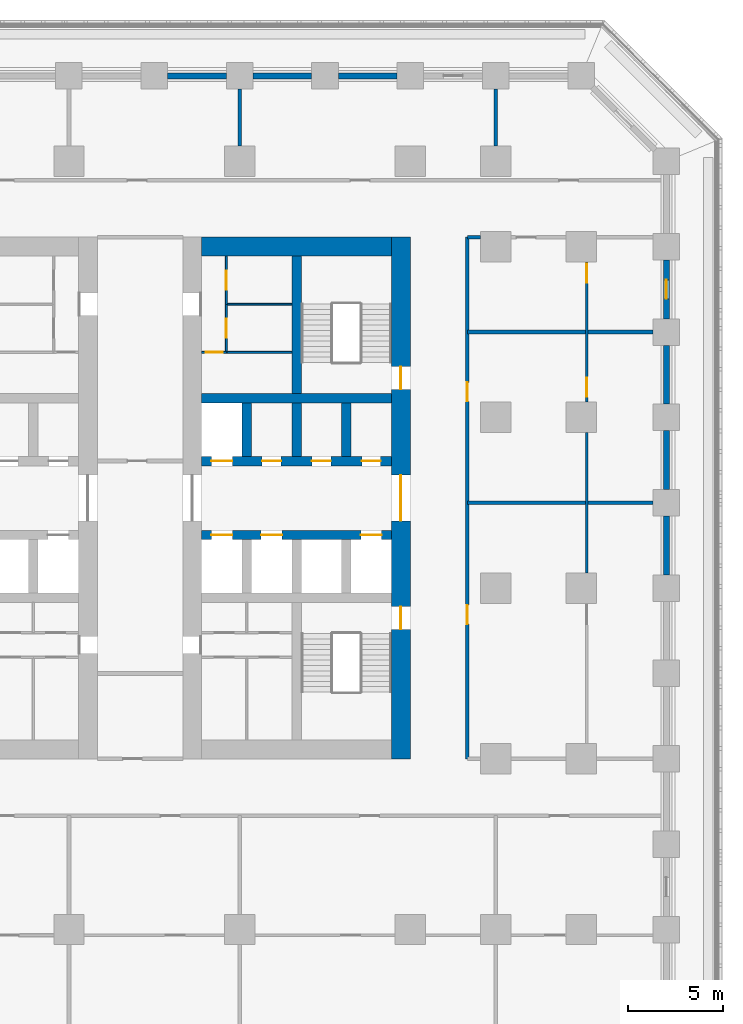
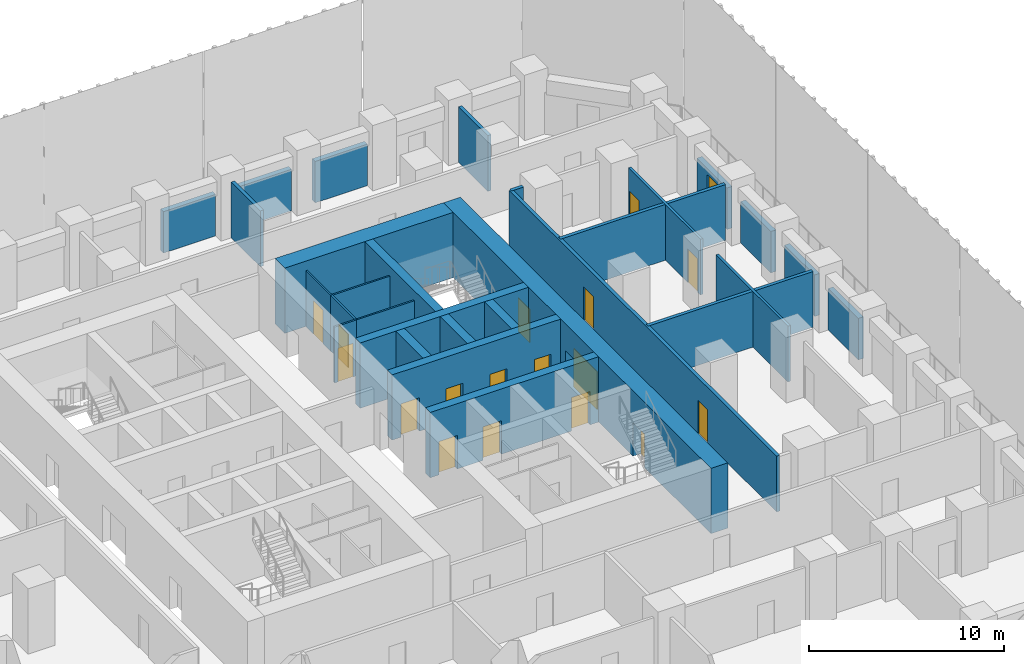
# One storey, part 6 of 13: 29 walls, 18 doors, 18 openings.
"""IFC4 building model written with IfcOpenShell, lengths in metres."""

from ifc_helpers import new_model, si_unit, direction, frame, frame_2d, origin, place, context, subcontext, project, spatial, rectangle, extrude, material, layer, layer_set, type_object, element, fill, save


model = new_model("IFC4")

# Units and contexts
model_context = context("Model", 3, precision=1e-05, world=origin(), true_north=direction((0.0, 1.0)))
body_context = subcontext(model_context, "Body", "Model", "MODEL_VIEW")
ifc_project = project(units=[si_unit("LENGTHUNIT", "METRE"), si_unit("AREAUNIT", "SQUARE_METRE"), si_unit("VOLUMEUNIT", "CUBIC_METRE"), si_unit("PLANEANGLEUNIT", "RADIAN"), si_unit("MASSUNIT", "GRAM", prefix="KILO")], contexts=[model_context])

# Site, building, storey
site_placement = place(None, origin())
site = spatial("IfcSite", under=ifc_project, at=site_placement, CompositionType="ELEMENT")
building_placement = place(site_placement, origin())
building = spatial("IfcBuilding", under=site, at=building_placement, Name="Corbel Stack Research Tower", CompositionType="ELEMENT")
storey_placement = place(building_placement, frame((0.0, 0.0, 66.5)))
storey = spatial("IfcBuildingStorey", under=building, at=storey_placement, Name="L15", CompositionType="ELEMENT", Elevation=66.5)

# Wall, openings, doors
ifc_material_1 = material(Name="Concrete C70/85", Category="concrete")
ifc_layer_1 = layer(ifc_material_1, 1.0)
ifc_layer_set_1 = layer_set([ifc_layer_1], Name="Concrete C70/85")
wall_type_1 = type_object("IfcWallType", Name="CW-1000-70", PredefinedType="SHEAR", material=ifc_layer_set_1)
wall_1_placement = place(storey_placement, frame((17.5, -9.0, 0.0), z_axis=(0.0, 0.0, 1.0), x_axis=(0.0, 1.0, 0.0)))
wall_1 = element("IfcWall", 1, at=wall_1_placement, inside=storey, type_object=wall_type_1, Name="East core wall, east face L15", PredefinedType="SHEAR", context=body_context, shape_type="SweptSolid", body=[
    extrude(rectangle(XDim=27.5, YDim=1.0, at=frame_2d((13.75, 0.0))), origin(), (0.0, 0.0, 1.0), 4.10009765625),
])
opening_1_placement = place(wall_1_placement, frame((12.550048828125, 0.0, 0.0)))
opening_1 = element("IfcOpeningElement", 2, at=opening_1_placement, cuts=wall_1, Name="Opening CD-E-E", PredefinedType="OPENING", context=body_context, shape_type="SweptSolid", body=[
    extrude(rectangle(XDim=2.39990234375, YDim=2.39990234375, at=frame_2d((1.199951171875, 1.199951171875))), frame((0.0, 0.510009765625, 0.0), z_axis=(0.0, -1.0, 0.0), x_axis=(1.0, 0.0, 0.0)), (0.0, 0.0, 1.0), 1.02001953125),
])
opening_2_placement = place(wall_1_placement, frame((6.824951171875, 0.0, 0.0)))
opening_2 = element("IfcOpeningElement", 3, at=opening_2_placement, cuts=wall_1, Name="Opening SD-ST-E1", PredefinedType="OPENING", context=body_context, shape_type="SweptSolid", body=[
    extrude(rectangle(XDim=1.199951171875, YDim=2.10009765625, at=frame_2d((0.60009765625, 1.050048828125))), frame((0.0, 0.510009765625, 0.0), z_axis=(0.0, -1.0, 0.0), x_axis=(1.0, 0.0, 0.0)), (0.0, 0.0, 1.0), 1.02001953125),
])
opening_3_placement = place(wall_1_placement, frame((19.47509765625, 0.0, 0.0)))
opening_3 = element("IfcOpeningElement", 4, at=opening_3_placement, cuts=wall_1, Name="Opening SD-ST-E2", PredefinedType="OPENING", context=body_context, shape_type="SweptSolid", body=[
    extrude(rectangle(XDim=1.199951171875, YDim=2.10009765625, at=frame_2d((0.60009765625, 1.050048828125))), frame((0.0, 0.510009765625, 0.0), z_axis=(0.0, -1.0, 0.0), x_axis=(1.0, 0.0, 0.0)), (0.0, 0.0, 1.0), 1.02001953125),
])
ifc_material_2 = material(Name="Painted steel fire door", Category="steel")
door_type_1 = type_object("IfcDoorType", Name="Lobby door pair 2400 x 2400 FD30S", OperationType="DOUBLE_DOOR_DOUBLE_SWING", PredefinedType="DOOR", material=ifc_material_2)
door_1_placement = place(opening_1_placement, origin())
door_1 = element("IfcDoor", 5, at=door_1_placement, inside=storey, type_object=door_type_1, Name="Lift lobby door E core E", OperationType="DOUBLE_DOOR_DOUBLE_SWING", OverallHeight=2.39990234375, OverallWidth=2.39990234375, PredefinedType="DOOR", context=body_context, shape_type="SweptSolid", body=[
    extrude(rectangle(XDim=2.39990234375, YDim=2.39990234375, at=frame_2d((1.199951171875, 1.199951171875))), frame((0.0, 0.02490234375, 0.0), z_axis=(0.0, -1.0, 0.0), x_axis=(1.0, 0.0, 0.0)), (0.0, 0.0, 1.0), 0.050048828125),
])
fill(opening_1, door_1)
ifc_material_3 = material(Name="Painted steel fire door", Category="steel")
door_type_2 = type_object("IfcDoorType", Name="Stair door 1200 x 2100 FD90 right hand", OperationType="SINGLE_SWING_RIGHT", PredefinedType="DOOR", material=ifc_material_3)
door_2_placement = place(opening_2_placement, frame((1.199951171875, 0.0, 0.0), z_axis=(0.0, 0.0, 1.0), x_axis=(-1.0, 0.0, 0.0)))
door_2 = element("IfcDoor", 6, at=door_2_placement, inside=storey, type_object=door_type_2, Name="Stair door ST-E1", OperationType="SINGLE_SWING_LEFT", OverallHeight=2.10009765625, OverallWidth=1.199951171875, PredefinedType="DOOR", context=body_context, shape_type="SweptSolid", body=[
    extrude(rectangle(XDim=1.199951171875, YDim=2.10009765625, at=frame_2d((0.60009765625, 1.050048828125))), frame((0.0, 0.02490234375, 0.0), z_axis=(0.0, -1.0, 0.0), x_axis=(1.0, 0.0, 0.0)), (0.0, 0.0, 1.0), 0.050048828125),
])
fill(opening_2, door_2)
door_3_placement = place(opening_3_placement, frame((1.199951171875, 0.0, 0.0), z_axis=(0.0, 0.0, 1.0), x_axis=(-1.0, 0.0, 0.0)))
door_3 = element("IfcDoor", 7, at=door_3_placement, inside=storey, type_object=door_type_2, Name="Stair door ST-E2", OperationType="SINGLE_SWING_LEFT", OverallHeight=2.10009765625, OverallWidth=1.199951171875, PredefinedType="DOOR", context=body_context, shape_type="SweptSolid", body=[
    extrude(rectangle(XDim=1.199951171875, YDim=2.10009765625, at=frame_2d((0.60009765625, 1.050048828125))), frame((0.0, 0.02490234375, 0.0), z_axis=(0.0, -1.0, 0.0), x_axis=(1.0, 0.0, 0.0)), (0.0, 0.0, 1.0), 0.050048828125),
])
fill(opening_3, door_3)

# Wall
wall_2_placement = place(storey_placement, frame((7.0, 18.0, 0.0), z_axis=(0.0, 0.0, 1.0), x_axis=(1.0, 0.0, 0.0)))
element("IfcWall", 8, at=wall_2_placement, inside=storey, type_object=wall_type_1, Name="East core wall, north end L15", PredefinedType="SHEAR", context=body_context, shape_type="SweptSolid", body=[
    extrude(rectangle(XDim=10.0, YDim=1.0, at=frame_2d((5.0, 0.0))), origin(), (0.0, 0.0, 1.0), 4.10009765625),
])

# Wall, openings, doors
ifc_material_4 = material(Name="Concrete C70/85", Category="concrete")
ifc_layer_2 = layer(ifc_material_4, 0.5)
ifc_layer_set_2 = layer_set([ifc_layer_2], Name="Concrete C70/85")
wall_type_2 = type_object("IfcWallType", Name="CW-500-70", PredefinedType="SHEAR", material=ifc_layer_set_2)
wall_3_placement = place(storey_placement, frame((7.0, 2.800048828125, 0.0), z_axis=(0.0, 0.0, 1.0), x_axis=(1.0, 0.0, 0.0)))
wall_3 = element("IfcWall", 9, at=wall_3_placement, inside=storey, type_object=wall_type_2, Name="East core wall, lobby south L15", PredefinedType="SHEAR", context=body_context, shape_type="SweptSolid", body=[
    extrude(rectangle(XDim=10.0, YDim=0.5, at=frame_2d((5.0, 0.0))), origin(), (0.0, 0.0, 1.0), 4.10009765625),
])
opening_4_placement = place(wall_3_placement, frame((0.512451171875, 0.0, 0.0)))
opening_4 = element("IfcOpeningElement", 10, at=opening_4_placement, cuts=wall_3, Name="Opening LD-FS2", PredefinedType="OPENING", context=body_context, shape_type="SweptSolid", body=[
    extrude(rectangle(XDim=1.10009765625, YDim=2.10009765625, at=frame_2d((0.550048828125, 1.050048828125))), frame((0.0, 0.260009765625, 0.0), z_axis=(0.0, -1.0, 0.0), x_axis=(1.0, 0.0, 0.0)), (0.0, 0.0, 1.0), 0.52001953125),
])
opening_5_placement = place(wall_3_placement, frame((3.137451171875, 0.0, 0.0)))
opening_5 = element("IfcOpeningElement", 11, at=opening_5_placement, cuts=wall_3, Name="Opening LD-GL2", PredefinedType="OPENING", context=body_context, shape_type="SweptSolid", body=[
    extrude(rectangle(XDim=1.10009765625, YDim=2.10009765625, at=frame_2d((0.550048828125, 1.050048828125))), frame((0.0, 0.260009765625, 0.0), z_axis=(0.0, -1.0, 0.0), x_axis=(1.0, 0.0, 0.0)), (0.0, 0.0, 1.0), 0.52001953125),
])
opening_6_placement = place(wall_3_placement, frame((8.387451171875, 0.0, 0.0)))
opening_6 = element("IfcOpeningElement", 12, at=opening_6_placement, cuts=wall_3, Name="Opening LD-LR3", PredefinedType="OPENING", context=body_context, shape_type="SweptSolid", body=[
    extrude(rectangle(XDim=1.10009765625, YDim=2.10009765625, at=frame_2d((0.550048828125, 1.050048828125))), frame((0.0, 0.260009765625, 0.0), z_axis=(0.0, -1.0, 0.0), x_axis=(1.0, 0.0, 0.0)), (0.0, 0.0, 1.0), 0.52001953125),
])
ifc_material_5 = material(Name="Stainless steel landing door", Category="steel")
door_type_3 = type_object("IfcDoorType", Name="Lift landing door 1100 x 2100", OperationType="DOUBLE_DOOR_SLIDING", PredefinedType="DOOR", material=ifc_material_5)
door_4_placement = place(opening_4_placement, origin())
door_4 = element("IfcDoor", 13, at=door_4_placement, inside=storey, type_object=door_type_3, Name="Landing door FS2", OperationType="DOUBLE_DOOR_SLIDING", OverallHeight=2.10009765625, OverallWidth=1.10009765625, PredefinedType="DOOR", context=body_context, shape_type="SweptSolid", body=[
    extrude(rectangle(XDim=1.10009765625, YDim=2.10009765625, at=frame_2d((0.550048828125, 1.050048828125))), frame((0.0, 0.02490234375, 0.0), z_axis=(0.0, -1.0, 0.0), x_axis=(1.0, 0.0, 0.0)), (0.0, 0.0, 1.0), 0.050048828125),
])
fill(opening_4, door_4)
door_5_placement = place(opening_5_placement, origin())
door_5 = element("IfcDoor", 14, at=door_5_placement, inside=storey, type_object=door_type_3, Name="Landing door GL2", OperationType="DOUBLE_DOOR_SLIDING", OverallHeight=2.10009765625, OverallWidth=1.10009765625, PredefinedType="DOOR", context=body_context, shape_type="SweptSolid", body=[
    extrude(rectangle(XDim=1.10009765625, YDim=2.10009765625, at=frame_2d((0.550048828125, 1.050048828125))), frame((0.0, 0.02490234375, 0.0), z_axis=(0.0, -1.0, 0.0), x_axis=(1.0, 0.0, 0.0)), (0.0, 0.0, 1.0), 0.050048828125),
])
fill(opening_5, door_5)
door_6_placement = place(opening_6_placement, origin())
door_6 = element("IfcDoor", 15, at=door_6_placement, inside=storey, type_object=door_type_3, Name="Landing door LR3", OperationType="DOUBLE_DOOR_SLIDING", OverallHeight=2.10009765625, OverallWidth=1.10009765625, PredefinedType="DOOR", context=body_context, shape_type="SweptSolid", body=[
    extrude(rectangle(XDim=1.10009765625, YDim=2.10009765625, at=frame_2d((0.550048828125, 1.050048828125))), frame((0.0, 0.02490234375, 0.0), z_axis=(0.0, -1.0, 0.0), x_axis=(1.0, 0.0, 0.0)), (0.0, 0.0, 1.0), 0.050048828125),
])
fill(opening_6, door_6)

wall_4_placement = place(storey_placement, frame((7.0, 6.699951171875, 0.0), z_axis=(0.0, 0.0, 1.0), x_axis=(1.0, 0.0, 0.0)))
wall_4 = element("IfcWall", 16, at=wall_4_placement, inside=storey, type_object=wall_type_2, Name="East core wall, lobby north L15", PredefinedType="SHEAR", context=body_context, shape_type="SweptSolid", body=[
    extrude(rectangle(XDim=10.0, YDim=0.5, at=frame_2d((5.0, 0.0))), origin(), (0.0, 0.0, 1.0), 4.10009765625),
])
opening_7_placement = place(wall_4_placement, frame((0.512451171875, 0.0, 0.0)))
opening_7 = element("IfcOpeningElement", 17, at=opening_7_placement, cuts=wall_4, Name="Opening LD-LR4", PredefinedType="OPENING", context=body_context, shape_type="SweptSolid", body=[
    extrude(rectangle(XDim=1.10009765625, YDim=2.10009765625, at=frame_2d((0.550048828125, 1.050048828125))), frame((0.0, 0.260009765625, 0.0), z_axis=(0.0, -1.0, 0.0), x_axis=(1.0, 0.0, 0.0)), (0.0, 0.0, 1.0), 0.52001953125),
])
opening_8_placement = place(wall_4_placement, frame((3.1875, 0.0, 0.0)))
opening_8 = element("IfcOpeningElement", 18, at=opening_8_placement, cuts=wall_4, Name="Opening CR-E54-N2", PredefinedType="OPENING", context=body_context, shape_type="SweptSolid", body=[
    extrude(rectangle(XDim=1.0, YDim=2.10009765625, at=frame_2d((0.5, 1.050048828125))), frame((0.0, 0.260009765625, 0.0), z_axis=(0.0, -1.0, 0.0), x_axis=(1.0, 0.0, 0.0)), (0.0, 0.0, 1.0), 0.52001953125),
])
opening_9_placement = place(wall_4_placement, frame((5.8125, 0.0, 0.0)))
opening_9 = element("IfcOpeningElement", 19, at=opening_9_placement, cuts=wall_4, Name="Opening CR-E54-N3", PredefinedType="OPENING", context=body_context, shape_type="SweptSolid", body=[
    extrude(rectangle(XDim=1.0, YDim=2.10009765625, at=frame_2d((0.5, 1.050048828125))), frame((0.0, 0.260009765625, 0.0), z_axis=(0.0, -1.0, 0.0), x_axis=(1.0, 0.0, 0.0)), (0.0, 0.0, 1.0), 0.52001953125),
])
opening_10_placement = place(wall_4_placement, frame((8.4375, 0.0, 0.0)))
opening_10 = element("IfcOpeningElement", 20, at=opening_10_placement, cuts=wall_4, Name="Opening CR-E54-N4", PredefinedType="OPENING", context=body_context, shape_type="SweptSolid", body=[
    extrude(rectangle(XDim=1.0, YDim=2.10009765625, at=frame_2d((0.5, 1.050048828125))), frame((0.0, 0.260009765625, 0.0), z_axis=(0.0, -1.0, 0.0), x_axis=(1.0, 0.0, 0.0)), (0.0, 0.0, 1.0), 0.52001953125),
])
door_7_placement = place(opening_7_placement, origin())
door_7 = element("IfcDoor", 21, at=door_7_placement, inside=storey, type_object=door_type_3, Name="Landing door LR4", OperationType="DOUBLE_DOOR_SLIDING", OverallHeight=2.10009765625, OverallWidth=1.10009765625, PredefinedType="DOOR", context=body_context, shape_type="SweptSolid", body=[
    extrude(rectangle(XDim=1.10009765625, YDim=2.10009765625, at=frame_2d((0.550048828125, 1.050048828125))), frame((0.0, 0.02490234375, 0.0), z_axis=(0.0, -1.0, 0.0), x_axis=(1.0, 0.0, 0.0)), (0.0, 0.0, 1.0), 0.050048828125),
])
fill(opening_7, door_7)
ifc_material_6 = material(Name="Painted steel door", Category="steel")
door_type_4 = type_object("IfcDoorType", Name="Service door 1000 x 2100 FD60 left hand", OperationType="SINGLE_SWING_LEFT", PredefinedType="DOOR", material=ifc_material_6)
door_8_placement = place(opening_9_placement, origin())
door_8 = element("IfcDoor", 22, at=door_8_placement, inside=storey, type_object=door_type_4, Name="Staff WC door E core", OperationType="SINGLE_SWING_LEFT", OverallHeight=2.10009765625, OverallWidth=1.0, PredefinedType="DOOR", context=body_context, shape_type="SweptSolid", body=[
    extrude(rectangle(XDim=1.0, YDim=2.10009765625, at=frame_2d((0.5, 1.050048828125))), frame((0.0, 0.02490234375, 0.0), z_axis=(0.0, -1.0, 0.0), x_axis=(1.0, 0.0, 0.0)), (0.0, 0.0, 1.0), 0.050048828125),
])
fill(opening_9, door_8)
ifc_material_7 = material(Name="Painted steel door", Category="steel")
door_type_5 = type_object("IfcDoorType", Name="Service door 1000 x 2100 FD60 right hand", OperationType="SINGLE_SWING_RIGHT", PredefinedType="DOOR", material=ifc_material_7)
door_9_placement = place(opening_8_placement, origin())
door_9 = element("IfcDoor", 23, at=door_9_placement, inside=storey, type_object=door_type_5, Name="Pantry door E core", OperationType="SINGLE_SWING_RIGHT", OverallHeight=2.10009765625, OverallWidth=1.0, PredefinedType="DOOR", context=body_context, shape_type="SweptSolid", body=[
    extrude(rectangle(XDim=1.0, YDim=2.10009765625, at=frame_2d((0.5, 1.050048828125))), frame((0.0, 0.02490234375, 0.0), z_axis=(0.0, -1.0, 0.0), x_axis=(1.0, 0.0, 0.0)), (0.0, 0.0, 1.0), 0.050048828125),
])
fill(opening_8, door_9)
door_10_placement = place(opening_10_placement, origin())
door_10 = element("IfcDoor", 24, at=door_10_placement, inside=storey, type_object=door_type_5, Name="Laboratory consumables store door E core", OperationType="SINGLE_SWING_RIGHT", OverallHeight=2.10009765625, OverallWidth=1.0, PredefinedType="DOOR", context=body_context, shape_type="SweptSolid", body=[
    extrude(rectangle(XDim=1.0, YDim=2.10009765625, at=frame_2d((0.5, 1.050048828125))), frame((0.0, 0.02490234375, 0.0), z_axis=(0.0, -1.0, 0.0), x_axis=(1.0, 0.0, 0.0)), (0.0, 0.0, 1.0), 0.050048828125),
])
fill(opening_10, door_10)

# Walls
wall_5_placement = place(storey_placement, frame((7.0, 10.0, 0.0), z_axis=(0.0, 0.0, 1.0), x_axis=(1.0, 0.0, 0.0)))
element("IfcWall", 25, at=wall_5_placement, inside=storey, type_object=wall_type_2, Name="East core wall, north row back L15", PredefinedType="SHEAR", context=body_context, shape_type="SweptSolid", body=[
    extrude(rectangle(XDim=10.0, YDim=0.5, at=frame_2d((5.0, 0.0))), origin(), (0.0, 0.0, 1.0), 4.10009765625),
])
for number, where, z_axis, x_axis, name in (
    (26, (9.375, 6.949951171875, 0.0), (0.0, 0.0, 1.0), (0.0, 1.0, 0.0), "East core wall, north shaft 1 L15"),
    (27, (12.0, 6.949951171875, 0.0), (0.0, 0.0, 1.0), (0.0, 1.0, 0.0), "East core wall, north shaft 2 L15"),
    (28, (14.625, 6.949951171875, 0.0), (0.0, 0.0, 1.0), (0.0, 1.0, 0.0), "East core wall, north shaft 3 L15"),
):
    element("IfcWall", number, at=place(storey_placement, frame(where, z_axis=z_axis, x_axis=x_axis)), inside=storey, type_object=wall_type_2, Name=name, PredefinedType="SHEAR", context=body_context, shape_type="SweptSolid", body=[
        extrude(rectangle(XDim=2.800048828125, YDim=0.5, at=frame_2d((1.39990234375, 0.0))), origin(), (0.0, 0.0, 1.0), 4.10009765625),
    ])
wall_6_placement = place(storey_placement, frame((12.0, 10.25, 0.0), z_axis=(0.0, 0.0, 1.0), x_axis=(0.0, 1.0, 0.0)))
element("IfcWall", 29, at=wall_6_placement, inside=storey, type_object=wall_type_2, Name="East core wall, north stair and riser L15", PredefinedType="SHEAR", context=body_context, shape_type="SweptSolid", body=[
    extrude(rectangle(XDim=7.25, YDim=0.5, at=frame_2d((3.625, 0.0))), origin(), (0.0, 0.0, 1.0), 4.10009765625),
])

# Wall, opening, door
ifc_material_8 = material(Name="Gypsum board")
ifc_layer_3 = layer(ifc_material_8, 0.10009765625)
ifc_layer_set_3 = layer_set([ifc_layer_3], Name="Gypsum board")
wall_type_3 = type_object("IfcWallType", Name="Core partition 100", PredefinedType="PARTITIONING", material=ifc_layer_set_3)
wall_7_placement = place(storey_placement, frame((7.0, 12.425048828125, 0.0), z_axis=(0.0, 0.0, 1.0), x_axis=(1.0, 0.0, 0.0)))
wall_7 = element("IfcWall", 30, at=wall_7_placement, inside=storey, type_object=wall_type_3, Name="Core partition E", PredefinedType="PARTITIONING", context=body_context, shape_type="SweptSolid", body=[
    extrude(rectangle(XDim=1.300048828125, YDim=0.10009765625, at=frame_2d((0.64990234375, 0.0))), origin(), (0.0, 0.0, 1.0), 3.5),
])
opening_11_placement = place(wall_7_placement, frame((0.199951171875, 0.0, 0.0)))
opening_11 = element("IfcOpeningElement", 31, at=opening_11_placement, cuts=wall_7, Name="Opening CR-E54-R1-900", PredefinedType="OPENING", context=body_context, shape_type="SweptSolid", body=[
    extrude(rectangle(XDim=0.89990234375, YDim=2.10009765625, at=frame_2d((0.449951171875, 1.050048828125))), frame((0.0, 0.06005859375, 0.0), z_axis=(0.0, -1.0, 0.0), x_axis=(1.0, 0.0, 0.0)), (0.0, 0.0, 1.0), 0.1201171875),
])
ifc_material_9 = material(Name="Painted steel door", Category="steel")
door_type_6 = type_object("IfcDoorType", Name="Riser door 900 x 2100 FD60 right hand", OperationType="SINGLE_SWING_RIGHT", PredefinedType="DOOR", material=ifc_material_9)
door_11_placement = place(opening_11_placement, origin())
door_11 = element("IfcDoor", 32, at=door_11_placement, inside=storey, type_object=door_type_6, Name="Electrical riser door E core", OperationType="SINGLE_SWING_RIGHT", OverallHeight=2.10009765625, OverallWidth=0.89990234375, PredefinedType="DOOR", context=body_context, shape_type="SweptSolid", body=[
    extrude(rectangle(XDim=0.89990234375, YDim=2.10009765625, at=frame_2d((0.449951171875, 1.050048828125))), frame((0.0, 0.02490234375, 0.0), z_axis=(0.0, -1.0, 0.0), x_axis=(1.0, 0.0, 0.0)), (0.0, 0.0, 1.0), 0.050048828125),
])
fill(opening_11, door_11)

# Wall
wall_8_placement = place(storey_placement, frame((8.300048828125, 12.425048828125, 0.0), z_axis=(0.0, 0.0, 1.0), x_axis=(1.0, 0.0, 0.0)))
element("IfcWall", 33, at=wall_8_placement, inside=storey, type_object=wall_type_3, Name="Core partition E", PredefinedType="PARTITIONING", context=body_context, shape_type="SweptSolid", body=[
    extrude(rectangle(XDim=3.449951171875, YDim=0.10009765625, at=frame_2d((1.72509765625, 0.0))), origin(), (0.0, 0.0, 1.0), 3.5),
])

# Wall, opening, door
wall_9_placement = place(storey_placement, frame((8.300048828125, 12.425048828125, 0.0), z_axis=(0.0, 0.0, 1.0), x_axis=(0.0, 1.0, 0.0)))
wall_9 = element("IfcWall", 34, at=wall_9_placement, inside=storey, type_object=wall_type_3, Name="Core partition E", PredefinedType="PARTITIONING", context=body_context, shape_type="SweptSolid", body=[
    extrude(rectangle(XDim=2.537353515625, YDim=0.10009765625, at=frame_2d((1.2685546875, 0.0))), origin(), (0.0, 0.0, 1.0), 3.5),
])
opening_12_placement = place(wall_9_placement, frame((0.768798828125, 0.0, 0.0)))
opening_12 = element("IfcOpeningElement", 35, at=opening_12_placement, cuts=wall_9, Name="Opening CR-E54-R3-1000", PredefinedType="OPENING", context=body_context, shape_type="SweptSolid", body=[
    extrude(rectangle(XDim=1.0, YDim=2.10009765625, at=frame_2d((0.5, 1.050048828125))), frame((0.0, 0.06005859375, 0.0), z_axis=(0.0, -1.0, 0.0), x_axis=(1.0, 0.0, 0.0)), (0.0, 0.0, 1.0), 0.1201171875),
])
ifc_material_10 = material(Name="Painted steel door", Category="steel")
door_type_7 = type_object("IfcDoorType", Name="Service door 1000 x 2100 FD30 right hand", OperationType="SINGLE_SWING_RIGHT", PredefinedType="DOOR", material=ifc_material_10)
door_12_placement = place(opening_12_placement, origin())
door_12 = element("IfcDoor", 36, at=door_12_placement, inside=storey, type_object=door_type_7, Name="Pantry door E core", OperationType="SINGLE_SWING_RIGHT", OverallHeight=2.10009765625, OverallWidth=1.0, PredefinedType="DOOR", context=body_context, shape_type="SweptSolid", body=[
    extrude(rectangle(XDim=1.0, YDim=2.10009765625, at=frame_2d((0.5, 1.050048828125))), frame((0.0, 0.02490234375, 0.0), z_axis=(0.0, -1.0, 0.0), x_axis=(1.0, 0.0, 0.0)), (0.0, 0.0, 1.0), 0.050048828125),
])
fill(opening_12, door_12)

wall_10_placement = place(storey_placement, frame((8.300048828125, 14.96240234375, 0.0), z_axis=(0.0, 0.0, 1.0), x_axis=(0.0, 1.0, 0.0)))
wall_10 = element("IfcWall", 37, at=wall_10_placement, inside=storey, type_object=wall_type_3, Name="Core partition E", PredefinedType="PARTITIONING", context=body_context, shape_type="SweptSolid", body=[
    extrude(rectangle(XDim=2.53759765625, YDim=0.10009765625, at=frame_2d((1.268798828125, 0.0))), origin(), (0.0, 0.0, 1.0), 3.5),
])
opening_13_placement = place(wall_10_placement, frame((0.768798828125, 0.0, 0.0)))
opening_13 = element("IfcOpeningElement", 38, at=opening_13_placement, cuts=wall_10, Name="Opening CR-E54-R4-1000", PredefinedType="OPENING", context=body_context, shape_type="SweptSolid", body=[
    extrude(rectangle(XDim=1.0, YDim=2.10009765625, at=frame_2d((0.5, 1.050048828125))), frame((0.0, 0.06005859375, 0.0), z_axis=(0.0, -1.0, 0.0), x_axis=(1.0, 0.0, 0.0)), (0.0, 0.0, 1.0), 0.1201171875),
])
ifc_material_11 = material(Name="Painted steel door", Category="steel")
door_type_8 = type_object("IfcDoorType", Name="Service door 1000 x 2100 FD30 left hand", OperationType="SINGLE_SWING_LEFT", PredefinedType="DOOR", material=ifc_material_11)
door_13_placement = place(opening_13_placement, origin())
door_13 = element("IfcDoor", 39, at=door_13_placement, inside=storey, type_object=door_type_8, Name="Copy and supply store door E core", OperationType="SINGLE_SWING_LEFT", OverallHeight=2.10009765625, OverallWidth=1.0, PredefinedType="DOOR", context=body_context, shape_type="SweptSolid", body=[
    extrude(rectangle(XDim=1.0, YDim=2.10009765625, at=frame_2d((0.5, 1.050048828125))), frame((0.0, 0.02490234375, 0.0), z_axis=(0.0, -1.0, 0.0), x_axis=(1.0, 0.0, 0.0)), (0.0, 0.0, 1.0), 0.050048828125),
])
fill(opening_13, door_13)

# Walls
wall_11_placement = place(storey_placement, frame((8.300048828125, 14.96240234375, 0.0), z_axis=(0.0, 0.0, 1.0), x_axis=(1.0, 0.0, 0.0)))
element("IfcWall", 40, at=wall_11_placement, inside=storey, type_object=wall_type_3, Name="Core partition E", PredefinedType="PARTITIONING", context=body_context, shape_type="SweptSolid", body=[
    extrude(rectangle(XDim=3.449951171875, YDim=0.10009765625, at=frame_2d((1.72509765625, 0.0))), origin(), (0.0, 0.0, 1.0), 3.5),
])
ifc_material_12 = material(Name="Fire-rated gypsum board partition on steel studs", Category="steel")
ifc_layer_4 = layer(ifc_material_12, 0.199951171875)
ifc_layer_set_4 = layer_set([ifc_layer_4], Name="Fire-rated gypsum board partition on steel studs")
wall_type_4 = type_object("IfcWallType", Name="Fire-rated partition 200 EI 60", PredefinedType="PARTITIONING", material=ifc_layer_set_4)
wall_12_placement = place(storey_placement, frame((9.0, 23.300048828125, 0.0), z_axis=(0.0, 0.0, 1.0), x_axis=(0.0, 1.0, 0.0)))
element("IfcWall", 41, at=wall_12_placement, inside=storey, type_object=wall_type_4, Name="Partition L15-010", PredefinedType="PARTITIONING", context=body_context, shape_type="SweptSolid", body=[
    extrude(rectangle(XDim=3.0, YDim=0.199951171875, at=frame_2d((1.5, 0.0))), origin(), (0.0, 0.0, 1.0), 3.5),
])

# Wall, openings, doors
wall_13_placement = place(storey_placement, frame((21.0, 18.5, 0.0), z_axis=(0.0, 0.0, 1.0), x_axis=(0.0, -1.0, 0.0)))
wall_13 = element("IfcWall", 42, at=wall_13_placement, inside=storey, type_object=wall_type_4, Name="Partition L15-011", PredefinedType="PARTITIONING", context=body_context, shape_type="SweptSolid", body=[
    extrude(rectangle(XDim=27.5, YDim=0.199951171875, at=frame_2d((13.75, 0.0))), origin(), (0.0, 0.0, 1.0), 3.5),
])
opening_14_placement = place(wall_13_placement, frame((19.39990234375, 0.0, 0.0)))
opening_14 = element("IfcOpeningElement", 43, at=opening_14_placement, cuts=wall_13, Name="Opening B2V2-017", PredefinedType="OPENING", context=body_context, shape_type="SweptSolid", body=[
    extrude(rectangle(XDim=1.0, YDim=2.10009765625, at=frame_2d((0.5, 1.050048828125))), frame((0.0, 0.10986328125, 0.0), z_axis=(0.0, -1.0, 0.0), x_axis=(1.0, 0.0, 0.0)), (0.0, 0.0, 1.0), 0.219970703125),
])
opening_15_placement = place(wall_13_placement, frame((7.64990234375, 0.0, 0.0)))
opening_15 = element("IfcOpeningElement", 44, at=opening_15_placement, cuts=wall_13, Name="Opening B2V2-018", PredefinedType="OPENING", context=body_context, shape_type="SweptSolid", body=[
    extrude(rectangle(XDim=1.0, YDim=2.10009765625, at=frame_2d((0.5, 1.050048828125))), frame((0.0, 0.10986328125, 0.0), z_axis=(0.0, -1.0, 0.0), x_axis=(1.0, 0.0, 0.0)), (0.0, 0.0, 1.0), 0.219970703125),
])
ifc_material_13 = material(Name="Painted steel fire door", Category="steel")
door_type_9 = type_object("IfcDoorType", Name="Fire door FD30S 1000 x 2100", OperationType="NOTDEFINED", PredefinedType="DOOR", material=ifc_material_13)
door_14_placement = place(opening_14_placement, origin())
door_14 = element("IfcDoor", 45, at=door_14_placement, inside=storey, type_object=door_type_9, Name="Door B2V2-017", OperationType="SINGLE_SWING_RIGHT", OverallHeight=2.10009765625, OverallWidth=1.0, PredefinedType="DOOR", context=body_context, shape_type="SweptSolid", body=[
    extrude(rectangle(XDim=1.0, YDim=2.10009765625, at=frame_2d((0.5, 1.050048828125))), frame((0.0, 0.02490234375, 0.0), z_axis=(0.0, -1.0, 0.0), x_axis=(1.0, 0.0, 0.0)), (0.0, 0.0, 1.0), 0.050048828125),
])
fill(opening_14, door_14)
door_15_placement = place(opening_15_placement, origin())
door_15 = element("IfcDoor", 46, at=door_15_placement, inside=storey, type_object=door_type_9, Name="Door B2V2-018", OperationType="SINGLE_SWING_LEFT", OverallHeight=2.10009765625, OverallWidth=1.0, PredefinedType="DOOR", context=body_context, shape_type="SweptSolid", body=[
    extrude(rectangle(XDim=1.0, YDim=2.10009765625, at=frame_2d((0.5, 1.050048828125))), frame((0.0, 0.02490234375, 0.0), z_axis=(0.0, -1.0, 0.0), x_axis=(1.0, 0.0, 0.0)), (0.0, 0.0, 1.0), 0.050048828125),
])
fill(opening_15, door_15)

# Walls
wall_14_placement = place(storey_placement, frame((22.5, 23.300048828125, 0.0), z_axis=(0.0, 0.0, 1.0), x_axis=(0.0, 1.0, 0.0)))
element("IfcWall", 47, at=wall_14_placement, inside=storey, type_object=wall_type_4, Name="Partition L15-014", PredefinedType="PARTITIONING", context=body_context, shape_type="SweptSolid", body=[
    extrude(rectangle(XDim=3.0, YDim=0.199951171875, at=frame_2d((1.5, 0.0))), origin(), (0.0, 0.0, 1.0), 3.5),
])
for number, where, z_axis, x_axis, name in (
    (48, (21.0, 4.5, 0.0), (0.0, 0.0, 1.0), (1.0, 0.0, 0.0), "Partition L15-035"),
    (49, (21.0, 13.5, 0.0), (0.0, 0.0, 1.0), (1.0, 0.0, 0.0), "Partition L15-038"),
):
    element("IfcWall", number, at=place(storey_placement, frame(where, z_axis=z_axis, x_axis=x_axis)), inside=storey, type_object=wall_type_4, Name=name, PredefinedType="PARTITIONING", context=body_context, shape_type="SweptSolid", body=[
        extrude(rectangle(XDim=9.800048828125, YDim=0.199951171875, at=frame_2d((4.89990234375, 0.0))), origin(), (0.0, 0.0, 1.0), 3.5),
    ])
wall_15_placement = place(storey_placement, frame((21.0, 18.5, 0.0), z_axis=(0.0, 0.0, 1.0), x_axis=(1.0, 0.0, 0.0)))
element("IfcWall", 50, at=wall_15_placement, inside=storey, type_object=wall_type_4, Name="Partition L15-042", PredefinedType="PARTITIONING", context=body_context, shape_type="SweptSolid", body=[
    extrude(rectangle(XDim=0.699951171875, YDim=0.199951171875, at=frame_2d((0.35009765625, 0.0))), origin(), (0.0, 0.0, 1.0), 3.5),
])
ifc_material_14 = material(Name="Gypsum board partition on steel studs", Category="steel")
ifc_layer_5 = layer(ifc_material_14, 0.14990234375)
ifc_layer_set_5 = layer_set([ifc_layer_5], Name="Gypsum board partition on steel studs")
wall_type_5 = type_object("IfcWallType", Name="Partition 150", PredefinedType="PARTITIONING", material=ifc_layer_set_5)
wall_16_placement = place(storey_placement, frame((27.300048828125, 0.800048828125, 0.0), z_axis=(0.0, 0.0, 1.0), x_axis=(0.0, 1.0, 0.0)))
element("IfcWall", 51, at=wall_16_placement, inside=storey, type_object=wall_type_5, Name="Partition L15-016", PredefinedType="PARTITIONING", context=body_context, shape_type="SweptSolid", body=[
    extrude(rectangle(XDim=7.39990234375, YDim=0.14990234375, at=frame_2d((3.699951171875, 0.0))), origin(), (0.0, 0.0, 1.0), 3.5),
])

# Wall, openings, doors
wall_17_placement = place(storey_placement, frame((27.300048828125, 17.199951171875, 0.0), z_axis=(0.0, 0.0, 1.0), x_axis=(0.0, -1.0, 0.0)))
wall_17 = element("IfcWall", 52, at=wall_17_placement, inside=storey, type_object=wall_type_5, Name="Partition L15-017", PredefinedType="PARTITIONING", context=body_context, shape_type="SweptSolid", body=[
    extrude(rectangle(XDim=7.39990234375, YDim=0.14990234375, at=frame_2d((3.699951171875, 0.0))), origin(), (0.0, 0.0, 1.0), 3.5),
])
opening_16_placement = place(wall_17_placement, frame((6.10009765625, 0.0, 0.0)))
opening_16 = element("IfcOpeningElement", 53, at=opening_16_placement, cuts=wall_17, Name="Opening B2V2-025", PredefinedType="OPENING", context=body_context, shape_type="SweptSolid", body=[
    extrude(rectangle(XDim=1.0, YDim=2.10009765625, at=frame_2d((0.5, 1.050048828125))), frame((0.0, 0.0849609375, 0.0), z_axis=(0.0, -1.0, 0.0), x_axis=(1.0, 0.0, 0.0)), (0.0, 0.0, 1.0), 0.169921875),
])
opening_17_placement = place(wall_17_placement, frame((0.10009765625, 0.0, 0.0)))
opening_17 = element("IfcOpeningElement", 54, at=opening_17_placement, cuts=wall_17, Name="Opening B2V2-026", PredefinedType="OPENING", context=body_context, shape_type="SweptSolid", body=[
    extrude(rectangle(XDim=1.0, YDim=2.10009765625, at=frame_2d((0.5, 1.050048828125))), frame((0.0, 0.0849609375, 0.0), z_axis=(0.0, -1.0, 0.0), x_axis=(1.0, 0.0, 0.0)), (0.0, 0.0, 1.0), 0.169921875),
])
ifc_material_15 = material(Name="Painted timber door", Category="wood")
door_type_10 = type_object("IfcDoorType", Name="Single door 1000 x 2100", OperationType="NOTDEFINED", PredefinedType="DOOR", material=ifc_material_15)
door_16_placement = place(opening_16_placement, origin())
door_16 = element("IfcDoor", 55, at=door_16_placement, inside=storey, type_object=door_type_10, Name="Door B2V2-025", OperationType="SINGLE_SWING_RIGHT", OverallHeight=2.10009765625, OverallWidth=1.0, PredefinedType="DOOR", context=body_context, shape_type="SweptSolid", body=[
    extrude(rectangle(XDim=1.0, YDim=2.10009765625, at=frame_2d((0.5, 1.050048828125))), frame((0.0, 0.02490234375, 0.0), z_axis=(0.0, -1.0, 0.0), x_axis=(1.0, 0.0, 0.0)), (0.0, 0.0, 1.0), 0.050048828125),
])
fill(opening_16, door_16)
door_17_placement = place(opening_17_placement, origin())
door_17 = element("IfcDoor", 56, at=door_17_placement, inside=storey, type_object=door_type_10, Name="Door B2V2-026", OperationType="SINGLE_SWING_LEFT", OverallHeight=2.10009765625, OverallWidth=1.0, PredefinedType="DOOR", context=body_context, shape_type="SweptSolid", body=[
    extrude(rectangle(XDim=1.0, YDim=2.10009765625, at=frame_2d((0.5, 1.050048828125))), frame((0.0, 0.02490234375, 0.0), z_axis=(0.0, -1.0, 0.0), x_axis=(1.0, 0.0, 0.0)), (0.0, 0.0, 1.0), 0.050048828125),
])
fill(opening_17, door_17)

# Walls
ifc_material_16 = material(Name="Concrete C45/55", Category="concrete")
ifc_layer_6 = layer(ifc_material_16, 0.300048828125)
ifc_layer_set_6 = layer_set([ifc_layer_6], Name="Concrete C45/55")
wall_type_6 = type_object("IfcWallType", Name="Terracotta-faced concrete wall 300", PredefinedType="SOLIDWALL", material=ifc_layer_set_6)
for number, where, z_axis, x_axis, name in (
    (57, (31.5, 3.800048828125, 0.0), (0.0, 0.0, 1.0), (0.0, -1.0, 0.0), "Facade wall L15 E06"),
    (58, (31.5, 8.300048828125, 0.0), (0.0, 0.0, 1.0), (0.0, -1.0, 0.0), "Facade wall L15 E07"),
    (59, (31.5, 12.800048828125, 0.0), (0.0, 0.0, 1.0), (0.0, -1.0, 0.0), "Facade wall L15 E08"),
):
    element("IfcWall", number, at=place(storey_placement, frame(where, z_axis=z_axis, x_axis=x_axis)), inside=storey, type_object=wall_type_6, Name=name, PredefinedType="SOLIDWALL", context=body_context, shape_type="SweptSolid", body=[
        extrude(rectangle(XDim=3.10009765625, YDim=0.300048828125, at=frame_2d((1.550048828125, 0.0))), origin(), (0.0, 0.0, 1.0), 2.60009765625),
    ])

# Wall, opening, door
wall_18_placement = place(storey_placement, frame((31.5, 17.300048828125, 0.0), z_axis=(0.0, 0.0, 1.0), x_axis=(0.0, -1.0, 0.0)))
wall_18 = element("IfcWall", 60, at=wall_18_placement, inside=storey, type_object=wall_type_6, Name="Facade wall L15 E09", PredefinedType="SOLIDWALL", context=body_context, shape_type="SweptSolid", body=[
    extrude(rectangle(XDim=3.10009765625, YDim=0.300048828125, at=frame_2d((1.550048828125, 0.0))), origin(), (0.0, 0.0, 1.0), 2.60009765625),
])
opening_18_placement = place(wall_18_placement, frame((1.050048828125, 0.0, 0.0)))
opening_18 = element("IfcOpeningElement", 61, at=opening_18_placement, cuts=wall_18, Name="Opening L15-B05", PredefinedType="OPENING", context=body_context, shape_type="SweptSolid", body=[
    extrude(rectangle(XDim=1.0, YDim=2.199951171875, at=frame_2d((0.5, 1.10009765625))), frame((0.0, 0.159912109375, 0.0), z_axis=(0.0, -1.0, 0.0), x_axis=(1.0, 0.0, 0.0)), (0.0, 0.0, 1.0), 0.320068359375),
])
ifc_material_17 = material(Name="Aluminium frame, clear double glazing", Category="aluminium")
door_type_11 = type_object("IfcDoorType", Name="Balcony door BD1 1000 x 2200", OperationType="NOTDEFINED", PredefinedType="DOOR", material=ifc_material_17)
door_18_placement = place(opening_18_placement, origin())
door_18 = element("IfcDoor", 62, at=door_18_placement, inside=storey, type_object=door_type_11, Name="Balcony door L15-B05", OperationType="SINGLE_SWING_RIGHT", OverallHeight=2.199951171875, OverallWidth=1.0, PredefinedType="DOOR", context=body_context, shape_type="SweptSolid", body=[
    extrude(rectangle(XDim=1.0, YDim=2.199951171875, at=frame_2d((0.5, 1.10009765625))), frame((0.0, 0.02490234375, 0.0), z_axis=(0.0, -1.0, 0.0), x_axis=(1.0, 0.0, 0.0)), (0.0, 0.0, 1.0), 0.050048828125),
])
fill(opening_18, door_18)

# Walls
for number, where, z_axis, x_axis, name in (
    (63, (14.199951171875, 27.0, 0.0), (0.0, 0.0, 1.0), (1.0, 0.0, 0.0), "Facade wall L15 N03"),
    (64, (9.699951171875, 27.0, 0.0), (0.0, 0.0, 1.0), (1.0, 0.0, 0.0), "Facade wall L15 N04"),
    (65, (5.199951171875, 27.0, 0.0), (0.0, 0.0, 1.0), (1.0, 0.0, 0.0), "Facade wall L15 N05"),
):
    element("IfcWall", number, at=place(storey_placement, frame(where, z_axis=z_axis, x_axis=x_axis)), inside=storey, type_object=wall_type_6, Name=name, PredefinedType="SOLIDWALL", context=body_context, shape_type="SweptSolid", body=[
        extrude(rectangle(XDim=3.10009765625, YDim=0.300048828125, at=frame_2d((1.550048828125, 0.0))), origin(), (0.0, 0.0, 1.0), 2.60009765625),
    ])

save(model, "model.ifc")
